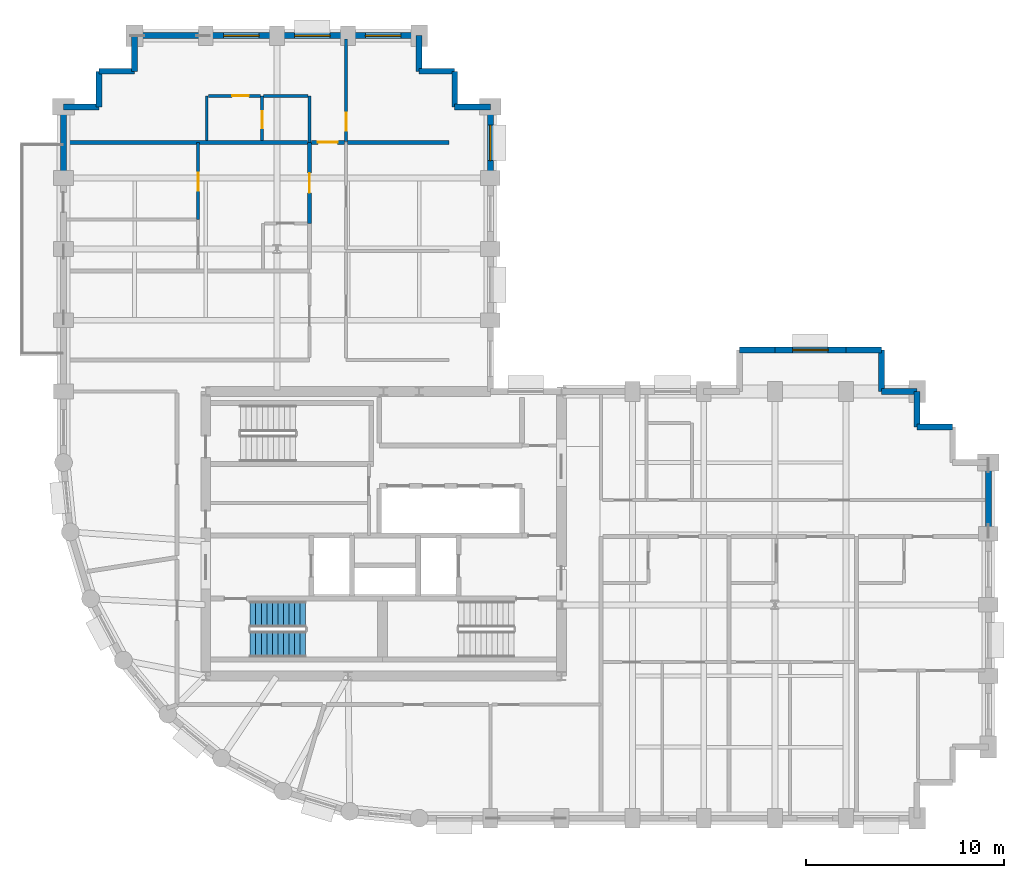
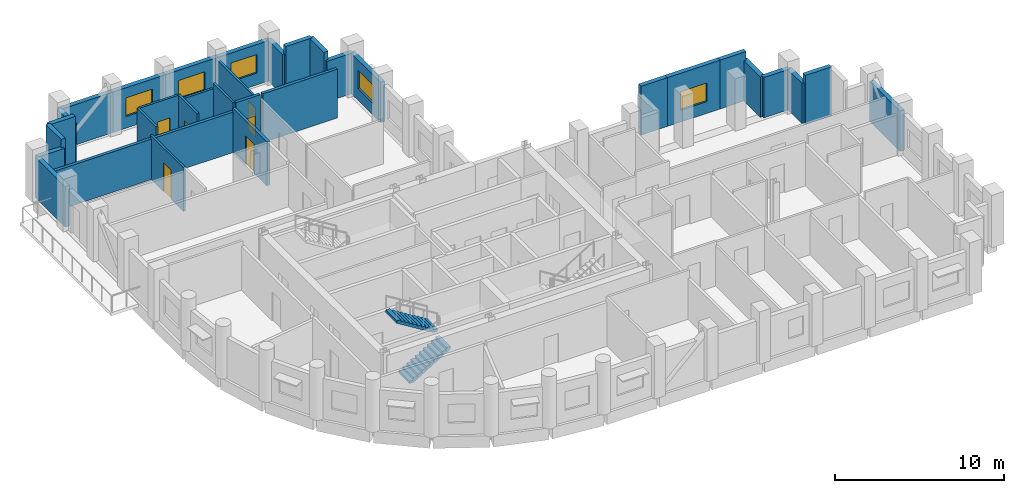
# One storey, part 7 of 10: 33 walls, 6 doors, 5 windows, 2 stair flights, 11 openings, 1 element without a shape of its own.
"""IFC4 building model written with IfcOpenShell, lengths in metres."""

from ifc_helpers import new_model, si_unit, direction, frame, frame_2d, origin, place, context, subcontext, project, spatial, polyline, rectangle, outline, extrude, material, layer, layer_set, type_object, element, fill, aggregate, save


model = new_model("IFC4")

# Units and contexts
model_context = context("Model", 3, precision=1e-05, world=origin(), true_north=direction((0.0, 1.0)))
body_context = subcontext(model_context, "Body", "Model", "MODEL_VIEW")
ifc_project = project(units=[si_unit("LENGTHUNIT", "METRE"), si_unit("AREAUNIT", "SQUARE_METRE"), si_unit("VOLUMEUNIT", "CUBIC_METRE"), si_unit("PLANEANGLEUNIT", "RADIAN"), si_unit("MASSUNIT", "GRAM", prefix="KILO")], contexts=[model_context])

# Site, building, storey
site_placement = place(None, origin())
site = spatial("IfcSite", under=ifc_project, at=site_placement, CompositionType="ELEMENT")
building_placement = place(site_placement, origin())
building = spatial("IfcBuilding", under=site, at=building_placement, Name="Solnavia Interchange Tower", CompositionType="ELEMENT")
storey_placement = place(building_placement, frame((0.0, 0.0, 150.39990234375)))
storey = spatial("IfcBuildingStorey", under=building, at=storey_placement, Name="L37", CompositionType="ELEMENT", Elevation=150.39990234375)

# Wall, opening, door
ifc_material_1 = material(Name="Gypsum Acoustic Twin-Stud & Mineral Wool", Category="gypsum")
ifc_layer_1 = layer(ifc_material_1, 0.199951171875)
ifc_layer_set_1 = layer_set([ifc_layer_1], Name="Gypsum Acoustic Twin-Stud & Mineral Wool")
wall_type_1 = type_object("IfcWallType", Name="Wall-ApartmentParty-200", PredefinedType="PARTITIONING", material=ifc_layer_set_1)
wall_1_placement = place(storey_placement, frame((19.64990234375, 33.699951171875, 0.0), z_axis=(0.0, 0.0, 1.0), x_axis=(0.0, 1.0, 0.0)))
wall_1 = element("IfcWall", 1, at=wall_1_placement, inside=storey, type_object=wall_type_1, Name="PTW-L37-48 Interior partition wall", PredefinedType="PARTITIONING", context=body_context, shape_type="SweptSolid", body=[
    extrude(rectangle(XDim=4.10009765625, YDim=0.199951171875, at=frame_2d((2.050048828125, 0.0))), origin(), (0.0, 0.0, 1.0), 3.170166015625),
])
opening_1_placement = place(wall_1_placement, frame((1.550048828125, 0.0, 0.0)))
opening_1 = element("IfcOpeningElement", 2, at=opening_1_placement, cuts=wall_1, Name="Opening DR-06", PredefinedType="OPENING", context=body_context, shape_type="SweptSolid", body=[
    extrude(rectangle(XDim=1.0, YDim=2.10009765625, at=frame_2d((0.5, 1.050048828125))), frame((0.0, 0.10986328125, 0.0), z_axis=(0.0, -1.0, 0.0), x_axis=(1.0, 0.0, 0.0)), (0.0, 0.0, 1.0), 0.219970703125),
])
ifc_material_2 = material(Name="Engineered Timber Acoustic Fire Door", Category="wood")
door_type_1 = type_object("IfcDoorType", Name="Door-FlatEntry-1000x2100", OperationType="SINGLE_SWING_LEFT", PredefinedType="DOOR", material=ifc_material_2)
door_1_placement = place(opening_1_placement, origin())
door_1 = element("IfcDoor", 3, at=door_1_placement, inside=storey, type_object=door_type_1, Name="DR-L37-23 Interior room door", OperationType="SINGLE_SWING_RIGHT", OverallHeight=2.10009765625, OverallWidth=1.0, PredefinedType="DOOR", context=body_context, shape_type="SweptSolid", body=[
    extrude(rectangle(XDim=1.0, YDim=2.10009765625, at=frame_2d((0.5, 1.050048828125))), frame((0.0, 0.02490234375, 0.0), z_axis=(0.0, -1.0, 0.0), x_axis=(1.0, 0.0, 0.0)), (0.0, 0.0, 1.0), 0.050048828125),
])
fill(opening_1, door_1)

# Walls
wall_2_placement = place(storey_placement, frame((7.35400390625, 37.800048828125, 0.0), z_axis=(0.0, 0.0, 1.0), x_axis=(1.0, 0.0, 0.0)))
element("IfcWall", 4, at=wall_2_placement, inside=storey, type_object=wall_type_1, Name="PTW-L37-56 Interior partition wall", PredefinedType="PARTITIONING", context=body_context, shape_type="SweptSolid", body=[
    extrude(rectangle(XDim=12.19189453125, YDim=0.199951171875, at=frame_2d((6.095947265625, 0.0))), origin(), (0.0, 0.0, 1.0), 2.93017578125),
])
wall_3_placement = place(storey_placement, frame((21.5791015625, 37.800048828125, 0.0), z_axis=(0.0, 0.0, 1.0), x_axis=(1.0, 0.0, 0.0)))
element("IfcWall", 5, at=wall_3_placement, inside=storey, type_object=wall_type_1, Name="PTW-L37-57 Interior partition wall", PredefinedType="PARTITIONING", context=body_context, shape_type="SweptSolid", body=[
    extrude(rectangle(XDim=5.120849609375, YDim=0.199951171875, at=frame_2d((2.560546875, 0.0))), origin(), (0.0, 0.0, 1.0), 3.53515625),
])

# Wall, opening, door
wall_4_placement = place(storey_placement, frame((19.75390625, 37.800048828125, 0.0), z_axis=(0.0, 0.0, 1.0), x_axis=(1.0, 0.0, 0.0)))
wall_4 = element("IfcWall", 6, at=wall_4_placement, inside=storey, type_object=wall_type_1, Name="PTW-L37-58 Interior partition wall", PredefinedType="PARTITIONING", context=body_context, shape_type="SweptSolid", body=[
    extrude(rectangle(XDim=1.6669921875, YDim=0.199951171875, at=frame_2d((0.83349609375, 0.0))), origin(), (0.0, 0.0, 1.0), 3.53515625),
])
opening_2_placement = place(wall_4_placement, frame((0.31396484375, 0.0, 0.0)))
opening_2 = element("IfcOpeningElement", 7, at=opening_2_placement, cuts=wall_4, Name="Opening DR-06", PredefinedType="OPENING", context=body_context, shape_type="SweptSolid", body=[
    extrude(rectangle(XDim=1.0, YDim=2.10009765625, at=frame_2d((0.5, 1.050048828125))), frame((0.0, 0.10986328125, 0.0), z_axis=(0.0, -1.0, 0.0), x_axis=(1.0, 0.0, 0.0)), (0.0, 0.0, 1.0), 0.219970703125),
])
door_2_placement = place(opening_2_placement, origin())
door_2 = element("IfcDoor", 8, at=door_2_placement, inside=storey, type_object=door_type_1, Name="DR-L37-28 Interior room door", OperationType="SINGLE_SWING_LEFT", OverallHeight=2.10009765625, OverallWidth=1.0, PredefinedType="DOOR", context=body_context, shape_type="SweptSolid", body=[
    extrude(rectangle(XDim=1.0, YDim=2.10009765625, at=frame_2d((0.5, 1.050048828125))), frame((0.0, 0.02490234375, 0.0), z_axis=(0.0, -1.0, 0.0), x_axis=(1.0, 0.0, 0.0)), (0.0, 0.0, 1.0), 0.050048828125),
])
fill(opening_2, door_2)

# Walls
ifc_material_3 = material(Name="Concrete C40/50", Category="concrete")
ifc_layer_2 = layer(ifc_material_3, 0.300048828125)
ifc_layer_set_2 = layer_set([ifc_layer_2], Name="Concrete C40/50")
wall_type_2 = type_object("IfcWallType", Name="Wall-ExtSpandrel-300", PredefinedType="STANDARD", material=ifc_layer_set_2)
wall_5_placement = place(storey_placement, frame((54.0, 21.60009765625, 0.0), z_axis=(0.0, 0.0, 1.0), x_axis=(0.0, -1.0, 0.0)))
element("IfcWall", 9, at=wall_5_placement, inside=storey, type_object=wall_type_2, Name="EXW-L37-15 Exterior precast spandrel wall", PredefinedType="STANDARD", context=body_context, shape_type="SweptSolid", body=[
    extrude(rectangle(XDim=3.60009765625, YDim=0.300048828125, at=frame_2d((1.800048828125, 0.0))), origin(), (0.0, 0.0, 1.0), 2.93017578125),
])
wall_6_placement = place(storey_placement, frame((50.39990234375, 23.39990234375, 0.0), z_axis=(0.0, 0.0, 1.0), x_axis=(1.0, 0.0, 0.0)))
element("IfcWall", 10, at=wall_6_placement, inside=storey, type_object=wall_type_2, Name="EXW-L37-18 Exterior precast spandrel wall", PredefinedType="STANDARD", context=body_context, shape_type="SweptSolid", body=[
    extrude(rectangle(XDim=1.800048828125, YDim=0.300048828125, at=frame_2d((0.89990234375, 0.0))), origin(), (0.0, 0.0, 1.0), 3.53515625),
])
wall_7_placement = place(storey_placement, frame((50.39990234375, 25.199951171875, 0.0), z_axis=(0.0, 0.0, 1.0), x_axis=(0.0, -1.0, 0.0)))
element("IfcWall", 11, at=wall_7_placement, inside=storey, type_object=wall_type_2, Name="EXW-L37-19 Exterior precast spandrel wall", PredefinedType="STANDARD", context=body_context, shape_type="SweptSolid", body=[
    extrude(rectangle(XDim=1.800048828125, YDim=0.300048828125, at=frame_2d((0.89990234375, 0.0))), origin(), (0.0, 0.0, 1.0), 2.93017578125),
])
wall_8_placement = place(storey_placement, frame((48.60009765625, 25.199951171875, 0.0), z_axis=(0.0, 0.0, 1.0), x_axis=(1.0, 0.0, 0.0)))
element("IfcWall", 12, at=wall_8_placement, inside=storey, type_object=wall_type_2, Name="EXW-L37-20 Exterior precast spandrel wall", PredefinedType="STANDARD", context=body_context, shape_type="SweptSolid", body=[
    extrude(rectangle(XDim=1.7998046875, YDim=0.300048828125, at=frame_2d((0.89990234375, 0.0))), origin(), (0.0, 0.0, 1.0), 2.93017578125),
])
wall_9_placement = place(storey_placement, frame((48.60009765625, 27.300048828125, 0.0), z_axis=(0.0, 0.0, 1.0), x_axis=(0.0, -1.0, 0.0)))
element("IfcWall", 13, at=wall_9_placement, inside=storey, type_object=wall_type_2, Name="EXW-L37-21 Exterior precast spandrel wall", PredefinedType="STANDARD", context=body_context, shape_type="SweptSolid", body=[
    extrude(rectangle(XDim=2.10009765625, YDim=0.300048828125, at=frame_2d((1.050048828125, 0.0))), origin(), (0.0, 0.0, 1.0), 2.93017578125),
])
wall_10_placement = place(storey_placement, frame((46.800048828125, 27.300048828125, 0.0), z_axis=(0.0, 0.0, 1.0), x_axis=(1.0, 0.0, 0.0)))
element("IfcWall", 14, at=wall_10_placement, inside=storey, type_object=wall_type_2, Name="EXW-L37-22 Exterior precast spandrel wall", PredefinedType="STANDARD", context=body_context, shape_type="SweptSolid", body=[
    extrude(rectangle(XDim=1.800048828125, YDim=0.300048828125, at=frame_2d((0.89990234375, 0.0))), origin(), (0.0, 0.0, 1.0), 3.53515625),
])

# Wall, opening, window
wall_11_placement = place(storey_placement, frame((43.199951171875, 27.300048828125, 0.0), z_axis=(0.0, 0.0, 1.0), x_axis=(1.0, 0.0, 0.0)))
wall_11 = element("IfcWall", 15, at=wall_11_placement, inside=storey, type_object=wall_type_2, Name="EXW-L37-23 Exterior precast spandrel wall", PredefinedType="STANDARD", context=body_context, shape_type="SweptSolid", body=[
    extrude(rectangle(XDim=3.60009765625, YDim=0.300048828125, at=frame_2d((1.800048828125, 0.0))), origin(), (0.0, 0.0, 1.0), 3.53515625),
])
opening_3_placement = place(wall_11_placement, frame((0.89990234375, 0.0, 0.85009765625)))
opening_3 = element("IfcOpeningElement", 16, at=opening_3_placement, cuts=wall_11, Name="Opening WIN-02", PredefinedType="OPENING", context=body_context, shape_type="SweptSolid", body=[
    extrude(rectangle(XDim=1.800048828125, YDim=1.35009765625, at=frame_2d((0.89990234375, 0.675048828125))), frame((0.0, 0.16015625, 0.0), z_axis=(0.0, -1.0, 0.0), x_axis=(1.0, 0.0, 0.0)), (0.0, 0.0, 1.0), 0.320068359375),
])
ifc_material_4 = material(Name="Thermal-Break Aluminium & Low-E Glass", Category="aluminium")
window_type = type_object("IfcWindowType", Name="Window-Ribbon-1800x1350", PartitioningType="SINGLE_PANEL", PredefinedType="WINDOW", material=ifc_material_4)
window_1_placement = place(opening_3_placement, origin())
window_1 = element("IfcWindow", 17, at=window_1_placement, inside=storey, type_object=window_type, Name="WIN-L37-23 Facade ribbon window", OverallHeight=1.35009765625, OverallWidth=1.800048828125, PartitioningType="SINGLE_PANEL", PredefinedType="WINDOW", context=body_context, shape_type="SweptSolid", body=[
    extrude(rectangle(XDim=1.800048828125, YDim=1.35009765625, at=frame_2d((0.89990234375, 0.675048828125))), frame((0.0, 0.030029296875, 0.0), z_axis=(0.0, -1.0, 0.0), x_axis=(1.0, 0.0, 0.0)), (0.0, 0.0, 1.0), 0.06005859375),
])
fill(opening_3, window_1)

# Wall
wall_12_placement = place(storey_placement, frame((41.39990234375, 27.300048828125, 0.0), z_axis=(0.0, 0.0, 1.0), x_axis=(1.0, 0.0, 0.0)))
element("IfcWall", 18, at=wall_12_placement, inside=storey, type_object=wall_type_2, Name="EXW-L37-24 Exterior precast spandrel wall", PredefinedType="STANDARD", context=body_context, shape_type="SweptSolid", body=[
    extrude(rectangle(XDim=1.800048828125, YDim=0.300048828125, at=frame_2d((0.89990234375, 0.0))), origin(), (0.0, 0.0, 1.0), 3.53515625),
])

# Wall, opening, window
wall_13_placement = place(storey_placement, frame((28.800048828125, 39.60009765625, 0.0), z_axis=(0.0, 0.0, 1.0), x_axis=(0.0, -1.0, 0.0)))
wall_13 = element("IfcWall", 19, at=wall_13_placement, inside=storey, type_object=wall_type_2, Name="EXW-L37-33 Exterior precast spandrel wall", PredefinedType="STANDARD", context=body_context, shape_type="SweptSolid", body=[
    extrude(rectangle(XDim=3.60009765625, YDim=0.300048828125, at=frame_2d((1.800048828125, 0.0))), origin(), (0.0, 0.0, 1.0), 2.93017578125),
])
opening_4_placement = place(wall_13_placement, frame((0.925048828125, 0.0, 0.85009765625)))
opening_4 = element("IfcOpeningElement", 20, at=opening_4_placement, cuts=wall_13, Name="Opening WIN-02", PredefinedType="OPENING", context=body_context, shape_type="SweptSolid", body=[
    extrude(rectangle(XDim=1.800048828125, YDim=1.35009765625, at=frame_2d((0.89990234375, 0.675048828125))), frame((0.0, 0.16015625, 0.0), z_axis=(0.0, -1.0, 0.0), x_axis=(1.0, 0.0, 0.0)), (0.0, 0.0, 1.0), 0.320068359375),
])
window_2_placement = place(opening_4_placement, origin())
window_2 = element("IfcWindow", 21, at=window_2_placement, inside=storey, type_object=window_type, Name="WIN-L37-33 Facade ribbon window", OverallHeight=1.35009765625, OverallWidth=1.800048828125, PartitioningType="SINGLE_PANEL", PredefinedType="WINDOW", context=body_context, shape_type="SweptSolid", body=[
    extrude(rectangle(XDim=1.800048828125, YDim=1.35009765625, at=frame_2d((0.89990234375, 0.675048828125))), frame((0.0, 0.030029296875, 0.0), z_axis=(0.0, -1.0, 0.0), x_axis=(1.0, 0.0, 0.0)), (0.0, 0.0, 1.0), 0.06005859375),
])
fill(opening_4, window_2)

# Walls
wall_14_placement = place(storey_placement, frame((27.0, 39.60009765625, 0.0), z_axis=(0.0, 0.0, 1.0), x_axis=(1.0, 0.0, 0.0)))
element("IfcWall", 22, at=wall_14_placement, inside=storey, type_object=wall_type_2, Name="EXW-L37-34 Exterior precast spandrel wall", PredefinedType="STANDARD", context=body_context, shape_type="SweptSolid", body=[
    extrude(rectangle(XDim=1.800048828125, YDim=0.300048828125, at=frame_2d((0.89990234375, 0.0))), origin(), (0.0, 0.0, 1.0), 2.93017578125),
])
wall_15_placement = place(storey_placement, frame((27.0, 39.60009765625, 0.0), z_axis=(0.0, 0.0, 1.0), x_axis=(0.0, 1.0, 0.0)))
element("IfcWall", 23, at=wall_15_placement, inside=storey, type_object=wall_type_2, Name="EXW-L37-35 Exterior precast spandrel wall", PredefinedType="STANDARD", context=body_context, shape_type="SweptSolid", body=[
    extrude(rectangle(XDim=1.7998046875, YDim=0.300048828125, at=frame_2d((0.89990234375, 0.0))), origin(), (0.0, 0.0, 1.0), 3.53515625),
])
wall_16_placement = place(storey_placement, frame((25.199951171875, 41.39990234375, 0.0), z_axis=(0.0, 0.0, 1.0), x_axis=(1.0, 0.0, 0.0)))
element("IfcWall", 24, at=wall_16_placement, inside=storey, type_object=wall_type_2, Name="EXW-L37-36 Exterior precast spandrel wall", PredefinedType="STANDARD", context=body_context, shape_type="SweptSolid", body=[
    extrude(rectangle(XDim=1.800048828125, YDim=0.300048828125, at=frame_2d((0.89990234375, 0.0))), origin(), (0.0, 0.0, 1.0), 3.53515625),
])
wall_17_placement = place(storey_placement, frame((25.199951171875, 41.39990234375, 0.0), z_axis=(0.0, 0.0, 1.0), x_axis=(0.0, 1.0, 0.0)))
element("IfcWall", 25, at=wall_17_placement, inside=storey, type_object=wall_type_2, Name="EXW-L37-37 Exterior precast spandrel wall", PredefinedType="STANDARD", context=body_context, shape_type="SweptSolid", body=[
    extrude(rectangle(XDim=1.800048828125, YDim=0.300048828125, at=frame_2d((0.89990234375, 0.0))), origin(), (0.0, 0.0, 1.0), 2.93017578125),
])

# Wall, opening, window
wall_18_placement = place(storey_placement, frame((21.60009765625, 43.199951171875, 0.0), z_axis=(0.0, 0.0, 1.0), x_axis=(1.0, 0.0, 0.0)))
wall_18 = element("IfcWall", 26, at=wall_18_placement, inside=storey, type_object=wall_type_2, Name="EXW-L37-38 Exterior precast spandrel wall", PredefinedType="STANDARD", context=body_context, shape_type="SweptSolid", body=[
    extrude(rectangle(XDim=3.599853515625, YDim=0.300048828125, at=frame_2d((1.7998046875, 0.0))), origin(), (0.0, 0.0, 1.0), 2.93017578125),
])
opening_5_placement = place(wall_18_placement, frame((0.875, 0.0, 0.85009765625)))
opening_5 = element("IfcOpeningElement", 27, at=opening_5_placement, cuts=wall_18, Name="Opening WIN-02", PredefinedType="OPENING", context=body_context, shape_type="SweptSolid", body=[
    extrude(rectangle(XDim=1.800048828125, YDim=1.35009765625, at=frame_2d((0.89990234375, 0.675048828125))), frame((0.0, 0.16015625, 0.0), z_axis=(0.0, -1.0, 0.0), x_axis=(1.0, 0.0, 0.0)), (0.0, 0.0, 1.0), 0.320068359375),
])
window_3_placement = place(opening_5_placement, origin())
window_3 = element("IfcWindow", 28, at=window_3_placement, inside=storey, type_object=window_type, Name="WIN-L37-38 Facade ribbon window", OverallHeight=1.35009765625, OverallWidth=1.800048828125, PartitioningType="SINGLE_PANEL", PredefinedType="WINDOW", context=body_context, shape_type="SweptSolid", body=[
    extrude(rectangle(XDim=1.800048828125, YDim=1.35009765625, at=frame_2d((0.89990234375, 0.675048828125))), frame((0.0, 0.030029296875, 0.0), z_axis=(0.0, -1.0, 0.0), x_axis=(1.0, 0.0, 0.0)), (0.0, 0.0, 1.0), 0.06005859375),
])
fill(opening_5, window_3)

wall_19_placement = place(storey_placement, frame((18.0, 43.199951171875, 0.0), z_axis=(0.0, 0.0, 1.0), x_axis=(1.0, 0.0, 0.0)))
wall_19 = element("IfcWall", 29, at=wall_19_placement, inside=storey, type_object=wall_type_2, Name="EXW-L37-39 Exterior precast spandrel wall", PredefinedType="STANDARD", context=body_context, shape_type="SweptSolid", body=[
    extrude(rectangle(XDim=3.60009765625, YDim=0.300048828125, at=frame_2d((1.800048828125, 0.0))), origin(), (0.0, 0.0, 1.0), 2.93017578125),
])
opening_6_placement = place(wall_19_placement, frame((0.89990234375, 0.0, 0.85009765625)))
opening_6 = element("IfcOpeningElement", 30, at=opening_6_placement, cuts=wall_19, Name="Opening WIN-02", PredefinedType="OPENING", context=body_context, shape_type="SweptSolid", body=[
    extrude(rectangle(XDim=1.800048828125, YDim=1.35009765625, at=frame_2d((0.89990234375, 0.675048828125))), frame((0.0, 0.16015625, 0.0), z_axis=(0.0, -1.0, 0.0), x_axis=(1.0, 0.0, 0.0)), (0.0, 0.0, 1.0), 0.320068359375),
])
window_4_placement = place(opening_6_placement, origin())
window_4 = element("IfcWindow", 31, at=window_4_placement, inside=storey, type_object=window_type, Name="WIN-L37-39 Facade ribbon window", OverallHeight=1.35009765625, OverallWidth=1.800048828125, PartitioningType="SINGLE_PANEL", PredefinedType="WINDOW", context=body_context, shape_type="SweptSolid", body=[
    extrude(rectangle(XDim=1.800048828125, YDim=1.35009765625, at=frame_2d((0.89990234375, 0.675048828125))), frame((0.0, 0.030029296875, 0.0), z_axis=(0.0, -1.0, 0.0), x_axis=(1.0, 0.0, 0.0)), (0.0, 0.0, 1.0), 0.06005859375),
])
fill(opening_6, window_4)

wall_20_placement = place(storey_placement, frame((14.39990234375, 43.199951171875, 0.0), z_axis=(0.0, 0.0, 1.0), x_axis=(1.0, 0.0, 0.0)))
wall_20 = element("IfcWall", 32, at=wall_20_placement, inside=storey, type_object=wall_type_2, Name="EXW-L37-40 Exterior precast spandrel wall", PredefinedType="STANDARD", context=body_context, shape_type="SweptSolid", body=[
    extrude(rectangle(XDim=3.60009765625, YDim=0.300048828125, at=frame_2d((1.800048828125, 0.0))), origin(), (0.0, 0.0, 1.0), 2.93017578125),
])
opening_7_placement = place(wall_20_placement, frame((0.89990234375, 0.0, 0.85009765625)))
opening_7 = element("IfcOpeningElement", 33, at=opening_7_placement, cuts=wall_20, Name="Opening WIN-02", PredefinedType="OPENING", context=body_context, shape_type="SweptSolid", body=[
    extrude(rectangle(XDim=1.800048828125, YDim=1.35009765625, at=frame_2d((0.89990234375, 0.675048828125))), frame((0.0, 0.16015625, 0.0), z_axis=(0.0, -1.0, 0.0), x_axis=(1.0, 0.0, 0.0)), (0.0, 0.0, 1.0), 0.320068359375),
])
window_5_placement = place(opening_7_placement, origin())
window_5 = element("IfcWindow", 34, at=window_5_placement, inside=storey, type_object=window_type, Name="WIN-L37-40 Facade ribbon window", OverallHeight=1.35009765625, OverallWidth=1.800048828125, PartitioningType="SINGLE_PANEL", PredefinedType="WINDOW", context=body_context, shape_type="SweptSolid", body=[
    extrude(rectangle(XDim=1.800048828125, YDim=1.35009765625, at=frame_2d((0.89990234375, 0.675048828125))), frame((0.0, 0.030029296875, 0.0), z_axis=(0.0, -1.0, 0.0), x_axis=(1.0, 0.0, 0.0)), (0.0, 0.0, 1.0), 0.06005859375),
])
fill(opening_7, window_5)

# Walls
wall_21_placement = place(storey_placement, frame((10.800048828125, 43.199951171875, 0.0), z_axis=(0.0, 0.0, 1.0), x_axis=(1.0, 0.0, 0.0)))
element("IfcWall", 35, at=wall_21_placement, inside=storey, type_object=wall_type_2, Name="EXW-L37-41 Exterior precast spandrel wall", PredefinedType="STANDARD", context=body_context, shape_type="SweptSolid", body=[
    extrude(rectangle(XDim=3.599853515625, YDim=0.300048828125, at=frame_2d((1.7998046875, 0.0))), origin(), (0.0, 0.0, 1.0), 2.93017578125),
])
wall_22_placement = place(storey_placement, frame((10.800048828125, 41.39990234375, 0.0), z_axis=(0.0, 0.0, 1.0), x_axis=(0.0, 1.0, 0.0)))
element("IfcWall", 36, at=wall_22_placement, inside=storey, type_object=wall_type_2, Name="EXW-L37-42 Exterior precast spandrel wall", PredefinedType="STANDARD", context=body_context, shape_type="SweptSolid", body=[
    extrude(rectangle(XDim=1.800048828125, YDim=0.300048828125, at=frame_2d((0.89990234375, 0.0))), origin(), (0.0, 0.0, 1.0), 2.93017578125),
])
wall_23_placement = place(storey_placement, frame((9.0, 41.39990234375, 0.0), z_axis=(0.0, 0.0, 1.0), x_axis=(1.0, 0.0, 0.0)))
element("IfcWall", 37, at=wall_23_placement, inside=storey, type_object=wall_type_2, Name="EXW-L37-43 Exterior precast spandrel wall", PredefinedType="STANDARD", context=body_context, shape_type="SweptSolid", body=[
    extrude(rectangle(XDim=1.800048828125, YDim=0.300048828125, at=frame_2d((0.89990234375, 0.0))), origin(), (0.0, 0.0, 1.0), 3.53515625),
])
wall_24_placement = place(storey_placement, frame((9.0, 39.60009765625, 0.0), z_axis=(0.0, 0.0, 1.0), x_axis=(0.0, 1.0, 0.0)))
element("IfcWall", 38, at=wall_24_placement, inside=storey, type_object=wall_type_2, Name="EXW-L37-44 Exterior precast spandrel wall", PredefinedType="STANDARD", context=body_context, shape_type="SweptSolid", body=[
    extrude(rectangle(XDim=1.7998046875, YDim=0.300048828125, at=frame_2d((0.89990234375, 0.0))), origin(), (0.0, 0.0, 1.0), 3.53515625),
])
wall_25_placement = place(storey_placement, frame((7.199951171875, 39.60009765625, 0.0), z_axis=(0.0, 0.0, 1.0), x_axis=(1.0, 0.0, 0.0)))
element("IfcWall", 39, at=wall_25_placement, inside=storey, type_object=wall_type_2, Name="EXW-L37-45 Exterior precast spandrel wall", PredefinedType="STANDARD", context=body_context, shape_type="SweptSolid", body=[
    extrude(rectangle(XDim=1.800048828125, YDim=0.300048828125, at=frame_2d((0.89990234375, 0.0))), origin(), (0.0, 0.0, 1.0), 2.93017578125),
])
wall_26_placement = place(storey_placement, frame((7.199951171875, 36.0, 0.0), z_axis=(0.0, 0.0, 1.0), x_axis=(0.0, 1.0, 0.0)))
element("IfcWall", 40, at=wall_26_placement, inside=storey, type_object=wall_type_2, Name="EXW-L37-46 Exterior precast spandrel wall", PredefinedType="STANDARD", context=body_context, shape_type="SweptSolid", body=[
    extrude(rectangle(XDim=3.60009765625, YDim=0.300048828125, at=frame_2d((1.800048828125, 0.0))), origin(), (0.0, 0.0, 1.0), 2.93017578125),
])

# Wall, opening, door
ifc_material_5 = material(Name="Gypsum Plasterboard & Steel Stud", Category="steel")
ifc_layer_3 = layer(ifc_material_5, 0.14990234375)
ifc_layer_set_3 = layer_set([ifc_layer_3], Name="Gypsum Plasterboard & Steel Stud")
wall_type_3 = type_object("IfcWallType", Name="Wall-Partition-150", PredefinedType="PARTITIONING", material=ifc_layer_set_3)
wall_27_placement = place(storey_placement, frame((14.010009765625, 33.89990234375, 0.0), z_axis=(0.0, 0.0, 1.0), x_axis=(0.0, 1.0, 0.0)))
wall_27 = element("IfcWall", 41, at=wall_27_placement, inside=storey, type_object=wall_type_3, Name="PTW-L37-49 Interior partition wall", PredefinedType="PARTITIONING", context=body_context, shape_type="SweptSolid", body=[
    extrude(rectangle(XDim=3.900146484375, YDim=0.14990234375, at=frame_2d((1.9501953125, 0.0))), origin(), (0.0, 0.0, 1.0), 3.170166015625),
])
opening_8_placement = place(wall_27_placement, frame((1.4609375, 0.0, 0.0)))
opening_8 = element("IfcOpeningElement", 42, at=opening_8_placement, cuts=wall_27, Name="Opening DR-09", PredefinedType="OPENING", context=body_context, shape_type="SweptSolid", body=[
    extrude(rectangle(XDim=0.89990234375, YDim=2.10009765625, at=frame_2d((0.449951171875, 1.050048828125))), frame((0.0, 0.0849609375, 0.0), z_axis=(0.0, -1.0, 0.0), x_axis=(1.0, 0.0, 0.0)), (0.0, 0.0, 1.0), 0.169921875),
])
ifc_material_6 = material(Name="Engineered Oak Veneer Door", Category="wood")
door_type_2 = type_object("IfcDoorType", Name="Door-Internal-900x2100", OperationType="SINGLE_SWING_LEFT", PredefinedType="DOOR", material=ifc_material_6)
door_3_placement = place(opening_8_placement, origin())
door_3 = element("IfcDoor", 43, at=door_3_placement, inside=storey, type_object=door_type_2, Name="DR-L37-24 Interior room door", OperationType="SINGLE_SWING_LEFT", OverallHeight=2.10009765625, OverallWidth=0.89990234375, PredefinedType="DOOR", context=body_context, shape_type="SweptSolid", body=[
    extrude(rectangle(XDim=0.89990234375, YDim=2.10009765625, at=frame_2d((0.449951171875, 1.050048828125))), frame((0.0, 0.02490234375, 0.0), z_axis=(0.0, -1.0, 0.0), x_axis=(1.0, 0.0, 0.0)), (0.0, 0.0, 1.0), 0.050048828125),
])
fill(opening_8, door_3)

wall_28_placement = place(storey_placement, frame((21.5, 37.84619140625, 0.0), z_axis=(0.0, 0.0, 1.0), x_axis=(0.0, 1.0, 0.0)))
wall_28 = element("IfcWall", 44, at=wall_28_placement, inside=storey, type_object=wall_type_3, Name="PTW-L37-62 Interior partition wall", PredefinedType="PARTITIONING", context=body_context, shape_type="SweptSolid", body=[
    extrude(rectangle(XDim=5.19970703125, YDim=0.14990234375, at=frame_2d((2.599853515625, 0.0))), origin(), (0.0, 0.0, 1.0), 2.93017578125),
])
opening_9_placement = place(wall_28_placement, frame((0.550048828125, 0.0, 0.0)))
opening_9 = element("IfcOpeningElement", 45, at=opening_9_placement, cuts=wall_28, Name="Opening DR-09", PredefinedType="OPENING", context=body_context, shape_type="SweptSolid", body=[
    extrude(rectangle(XDim=0.89990234375, YDim=2.10009765625, at=frame_2d((0.449951171875, 1.050048828125))), frame((0.0, 0.0849609375, 0.0), z_axis=(0.0, -1.0, 0.0), x_axis=(1.0, 0.0, 0.0)), (0.0, 0.0, 1.0), 0.169921875),
])
door_4_placement = place(opening_9_placement, origin())
door_4 = element("IfcDoor", 46, at=door_4_placement, inside=storey, type_object=door_type_2, Name="DR-L37-30 Interior room door", OperationType="SINGLE_SWING_RIGHT", OverallHeight=2.10009765625, OverallWidth=0.89990234375, PredefinedType="DOOR", context=body_context, shape_type="SweptSolid", body=[
    extrude(rectangle(XDim=0.89990234375, YDim=2.10009765625, at=frame_2d((0.449951171875, 1.050048828125))), frame((0.0, 0.02490234375, 0.0), z_axis=(0.0, -1.0, 0.0), x_axis=(1.0, 0.0, 0.0)), (0.0, 0.0, 1.0), 0.050048828125),
])
fill(opening_9, door_4)

# Wall
ifc_material_7 = material(Name="Moisture-Resistant Gypsum & Steel Stud", Category="steel")
ifc_layer_4 = layer(ifc_material_7, 0.14990234375)
ifc_layer_set_4 = layer_set([ifc_layer_4], Name="Moisture-Resistant Gypsum & Steel Stud")
wall_type_4 = type_object("IfcWallType", Name="Wall-WetRoom-150", PredefinedType="PARTITIONING", material=ifc_layer_set_4)
wall_29_placement = place(storey_placement, frame((19.64990234375, 37.800048828125, 0.0), z_axis=(0.0, 0.0, 1.0), x_axis=(0.0, 1.0, 0.0)))
element("IfcWall", 47, at=wall_29_placement, inside=storey, type_object=wall_type_4, Name="PTW-L37-59 Interior partition wall", PredefinedType="PARTITIONING", context=body_context, shape_type="SweptSolid", body=[
    extrude(rectangle(XDim=2.349853515625, YDim=0.14990234375, at=frame_2d((1.1748046875, 0.0))), origin(), (0.0, 0.0, 1.0), 3.53515625),
])

# Wall, opening, door
wall_30_placement = place(storey_placement, frame((17.25, 37.904052734375, 0.0), z_axis=(0.0, 0.0, 1.0), x_axis=(0.0, 1.0, 0.0)))
wall_30 = element("IfcWall", 48, at=wall_30_placement, inside=storey, type_object=wall_type_4, Name="PTW-L37-60 Interior partition wall", PredefinedType="PARTITIONING", context=body_context, shape_type="SweptSolid", body=[
    extrude(rectangle(XDim=2.245849609375, YDim=0.14990234375, at=frame_2d((1.123046875, 0.0))), origin(), (0.0, 0.0, 1.0), 3.53515625),
])
opening_10_placement = place(wall_30_placement, frame((0.615966796875, 0.0, 0.0)))
opening_10 = element("IfcOpeningElement", 49, at=opening_10_placement, cuts=wall_30, Name="Opening DR-10", PredefinedType="OPENING", context=body_context, shape_type="SweptSolid", body=[
    extrude(rectangle(XDim=0.85009765625, YDim=2.10009765625, at=frame_2d((0.425048828125, 1.050048828125))), frame((0.0, 0.0849609375, 0.0), z_axis=(0.0, -1.0, 0.0), x_axis=(1.0, 0.0, 0.0)), (0.0, 0.0, 1.0), 0.169921875),
])
ifc_material_8 = material(Name="Moisture-Resistant Timber Door", Category="wood")
door_type_3 = type_object("IfcDoorType", Name="Door-Bathroom-850x2100", OperationType="SINGLE_SWING_RIGHT", PredefinedType="DOOR", material=ifc_material_8)
door_5_placement = place(opening_10_placement, origin())
door_5 = element("IfcDoor", 50, at=door_5_placement, inside=storey, type_object=door_type_3, Name="DR-L37-29 Interior room door", OperationType="SINGLE_SWING_LEFT", OverallHeight=2.10009765625, OverallWidth=0.85009765625, PredefinedType="DOOR", context=body_context, shape_type="SweptSolid", body=[
    extrude(rectangle(XDim=0.85009765625, YDim=2.10009765625, at=frame_2d((0.425048828125, 1.050048828125))), frame((0.0, 0.02490234375, 0.0), z_axis=(0.0, -1.0, 0.0), x_axis=(1.0, 0.0, 0.0)), (0.0, 0.0, 1.0), 0.050048828125),
])
fill(opening_10, door_5)

# Walls
wall_31_placement = place(storey_placement, frame((17.3291015625, 40.14990234375, 0.0), z_axis=(0.0, 0.0, 1.0), x_axis=(1.0, 0.0, 0.0)))
element("IfcWall", 51, at=wall_31_placement, inside=storey, type_object=wall_type_4, Name="PTW-L37-61 Interior partition wall", PredefinedType="PARTITIONING", context=body_context, shape_type="SweptSolid", body=[
    extrude(rectangle(XDim=2.241943359375, YDim=0.14990234375, at=frame_2d((1.12109375, 0.0))), origin(), (0.0, 0.0, 1.0), 3.170166015625),
])
wall_32_placement = place(storey_placement, frame((14.449951171875, 37.904052734375, 0.0), z_axis=(0.0, 0.0, 1.0), x_axis=(0.0, 1.0, 0.0)))
element("IfcWall", 52, at=wall_32_placement, inside=storey, type_object=wall_type_4, Name="PTW-L37-63 Interior partition wall", PredefinedType="PARTITIONING", context=body_context, shape_type="SweptSolid", body=[
    extrude(rectangle(XDim=2.245849609375, YDim=0.14990234375, at=frame_2d((1.123046875, 0.0))), origin(), (0.0, 0.0, 1.0), 3.53515625),
])

# Wall, opening, door
wall_33_placement = place(storey_placement, frame((14.529052734375, 40.14990234375, 0.0), z_axis=(0.0, 0.0, 1.0), x_axis=(1.0, 0.0, 0.0)))
wall_33 = element("IfcWall", 53, at=wall_33_placement, inside=storey, type_object=wall_type_4, Name="PTW-L37-64 Interior partition wall", PredefinedType="PARTITIONING", context=body_context, shape_type="SweptSolid", body=[
    extrude(rectangle(XDim=2.641845703125, YDim=0.14990234375, at=frame_2d((1.32080078125, 0.0))), origin(), (0.0, 0.0, 1.0), 3.53515625),
])
opening_11_placement = place(wall_33_placement, frame((1.2041015625, 0.0, 0.0)))
opening_11 = element("IfcOpeningElement", 54, at=opening_11_placement, cuts=wall_33, Name="Opening DR-10", PredefinedType="OPENING", context=body_context, shape_type="SweptSolid", body=[
    extrude(rectangle(XDim=0.85009765625, YDim=2.10009765625, at=frame_2d((0.425048828125, 1.050048828125))), frame((0.0, 0.0849609375, 0.0), z_axis=(0.0, -1.0, 0.0), x_axis=(1.0, 0.0, 0.0)), (0.0, 0.0, 1.0), 0.169921875),
])
door_6_placement = place(opening_11_placement, origin())
door_6 = element("IfcDoor", 55, at=door_6_placement, inside=storey, type_object=door_type_3, Name="DR-L37-31 Interior room door", OperationType="SINGLE_SWING_LEFT", OverallHeight=2.10009765625, OverallWidth=0.85009765625, PredefinedType="DOOR", context=body_context, shape_type="SweptSolid", body=[
    extrude(rectangle(XDim=0.85009765625, YDim=2.10009765625, at=frame_2d((0.425048828125, 1.050048828125))), frame((0.0, 0.02490234375, 0.0), z_axis=(0.0, -1.0, 0.0), x_axis=(1.0, 0.0, 0.0)), (0.0, 0.0, 1.0), 0.050048828125),
])
fill(opening_11, door_6)

# Stair, stair flights
stair_type = type_object("IfcStairType", Name="Stair-Dogleg-RC", PredefinedType="HALF_TURN_STAIR", material=ifc_material_3)
stair_placement = place(storey_placement, origin())
stair = element("IfcStair", 56, at=stair_placement, inside=storey, type_object=stair_type, Name="L37 Core exit stair 1", PredefinedType="HALF_TURN_STAIR")
stair_flight_type = type_object("IfcStairFlightType", Name="StairFlight-RC-150", PredefinedType="STRAIGHT", material=ifc_material_3)
stair_flight_1_placement = place(storey_placement, frame((16.64990234375, 12.409912109375, 0.0), z_axis=(0.0, 0.0, 1.0), x_axis=(1.0, 0.0, 0.0)))
stair_flight_1 = element("IfcStairFlight", 57, at=stair_flight_1_placement, type_object=stair_flight_type, Name="ST-1 flight 1", NumberOfRisers=11, NumberOfTreads=10, PredefinedType="STRAIGHT", RiserHeight=0.172727273, TreadLength=0.28, context=body_context, shape_type="SweptSolid", body=[
    extrude(outline(polyline([(0.0, 0.0), (0.0, 0.172607421875), (0.280029296875, 0.172607421875), (0.280029296875, 0.345458984375), (0.56005859375, 0.345458984375), (0.56005859375, 0.51806640625), (0.840087890625, 0.51806640625), (0.840087890625, 0.69091796875), (1.1201171875, 0.69091796875), (1.1201171875, 0.863525390625), (1.39990234375, 0.863525390625), (1.39990234375, 1.036376953125), (1.679931640625, 1.036376953125), (1.679931640625, 1.208984375), (1.9599609375, 1.208984375), (1.9599609375, 1.3818359375), (2.239990234375, 1.3818359375), (2.239990234375, 1.554443359375), (2.52001953125, 1.554443359375), (2.52001953125, 1.727294921875), (2.800048828125, 1.727294921875), (2.800048828125, 1.89990234375), (2.800048828125, 1.551025390625), (0.285400390625, 0.0), (0.0, 0.0)])), frame((0.0, 0.66015625, 0.0), z_axis=(0.0, -1.0, 0.0), x_axis=(1.0, 0.0, 0.0)), (0.0, 0.0, 1.0), 1.320068359375),
])
stair_flight_2_placement = place(storey_placement, frame((19.449951171875, 13.929931640625, 1.900146484375), z_axis=(0.0, 0.0, 1.0), x_axis=(-1.0, 0.0, 0.0)))
stair_flight_2 = element("IfcStairFlight", 58, at=stair_flight_2_placement, type_object=stair_flight_type, Name="ST-1 flight 2", NumberOfRisers=11, NumberOfTreads=10, PredefinedType="STRAIGHT", RiserHeight=0.172727273, TreadLength=0.28, context=body_context, shape_type="SweptSolid", body=[
    extrude(outline(polyline([(0.0, 0.0), (0.0, 0.172607421875), (0.280029296875, 0.172607421875), (0.280029296875, 0.345458984375), (0.56005859375, 0.345458984375), (0.56005859375, 0.51806640625), (0.840087890625, 0.51806640625), (0.840087890625, 0.69091796875), (1.1201171875, 0.69091796875), (1.1201171875, 0.863525390625), (1.39990234375, 0.863525390625), (1.39990234375, 1.036376953125), (1.679931640625, 1.036376953125), (1.679931640625, 1.208984375), (1.9599609375, 1.208984375), (1.9599609375, 1.3818359375), (2.239990234375, 1.3818359375), (2.239990234375, 1.554443359375), (2.52001953125, 1.554443359375), (2.52001953125, 1.727294921875), (2.800048828125, 1.727294921875), (2.800048828125, 1.89990234375), (2.800048828125, 1.551025390625), (0.285400390625, 0.0), (0.0, 0.0)])), frame((0.0, 0.66015625, 0.0), z_axis=(0.0, -1.0, 0.0), x_axis=(1.0, 0.0, 0.0)), (0.0, 0.0, 1.0), 1.320068359375),
])
aggregate(stair, [stair_flight_1, stair_flight_2])

save(model, "model.ifc")
